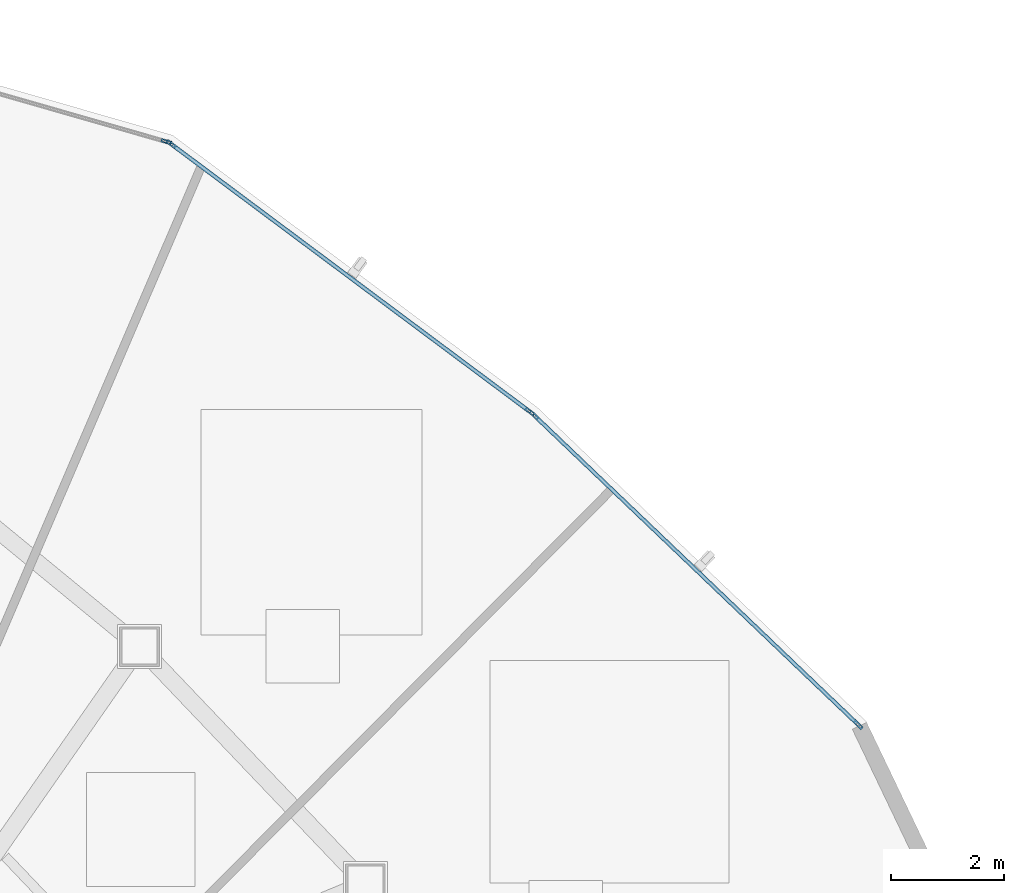
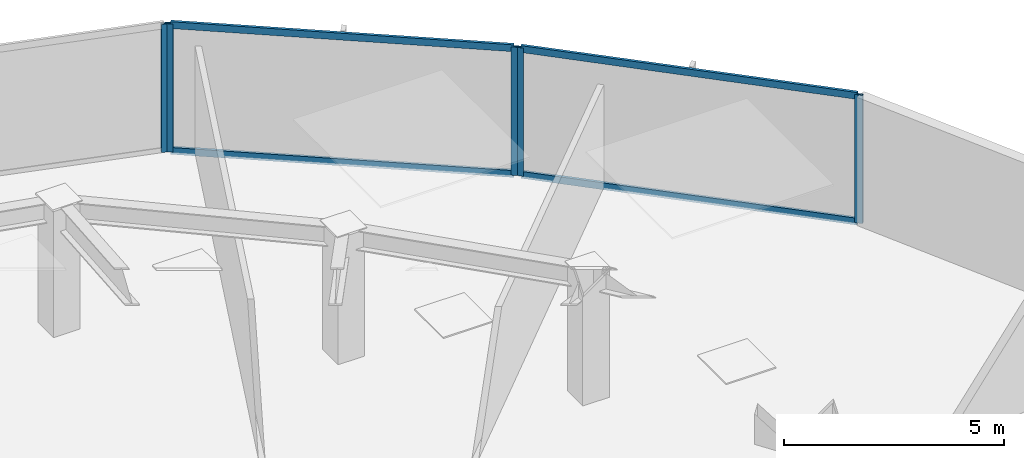
# One storey, part 9 of 17: 9 members, 3 elements without a shape of their own.
"""IFC4 building model written with IfcOpenShell, lengths in metres."""

from ifc_helpers import new_model, si_unit, direction, frame, origin, origin_2d, place, context, subcontext, project, spatial, hollow_rectangle, extrude, source, transform, mapped, material, layer, layer_set, material_profile, profile_set, type_object, type_shapes, element, aggregate, save


model = new_model("IFC4")

# Units and contexts
model_context = context("Model", 3, precision=1e-05, world=origin(), true_north=direction((0.0, 1.0)))
body_context = subcontext(model_context, "Body", "Model", "MODEL_VIEW")
ifc_project = project(units=[si_unit("LENGTHUNIT", "METRE"), si_unit("AREAUNIT", "SQUARE_METRE"), si_unit("VOLUMEUNIT", "CUBIC_METRE"), si_unit("PLANEANGLEUNIT", "RADIAN"), si_unit("MASSUNIT", "GRAM", prefix="KILO")], contexts=[model_context])

# Site, building, storey
site_placement = place(None, origin())
site = spatial("IfcSite", under=ifc_project, at=site_placement, CompositionType="ELEMENT")
building_placement = place(site_placement, origin())
building = spatial("IfcBuilding", under=site, at=building_placement, Name="Tavelor Broadcast Tower", CompositionType="ELEMENT")
storey_placement = place(building_placement, frame((0.0, 0.0, 115.60009765625)))
storey = spatial("IfcBuildingStorey", under=building, at=storey_placement, Name="L26", CompositionType="ELEMENT", Elevation=115.60009765625)

# Curtain wall, members
ifc_material = material(Name="Architectural Anodized Aluminium", Category="aluminium")
ifc_layer = layer(ifc_material, 0.18994140625)
ifc_layer_set = layer_set([ifc_layer], Name="Architectural Anodized Aluminium")
curtain_wall_type = type_object("IfcCurtainWallType", Name="Tower Mid-Zone Acoustic Curtain Wall CW03", PredefinedType="NOTDEFINED", material=ifc_layer_set)
curtain_wall_1_placement = place(storey_placement, origin())
curtain_wall_1 = element("IfcCurtainWall", 1, at=curtain_wall_1_placement, inside=storey, type_object=curtain_wall_type, Name="L26 Curtain Wall CW03 Run 261", PredefinedType="NOTDEFINED")
ifc_material_profile_1 = material_profile(ifc_material, hollow_rectangle(XDim=0.068115234375, YDim=0.18994140625, WallThickness=0.02197265625, at=origin_2d()), Name="RHS 68x190x22")
ifc_profile_set_1 = profile_set([ifc_material_profile_1], Name="Architectural Anodized Aluminium")
member_type_1 = type_object("IfcMemberType", Name="CW03 Extruded Aluminium Mullion 68x190", PredefinedType="MULLION", material=ifc_profile_set_1)
shared_shape_1 = source(origin(), body_context, "Body", "SweptSolid", [
    extrude(hollow_rectangle(XDim=0.068115234375, YDim=0.18994140625, WallThickness=0.02197265625, at=origin_2d()), origin(), (0.0, 0.0, 1.0), 3.5498046875),
])
type_shapes(member_type_1, [shared_shape_1])
member_1_placement = place(storey_placement, frame((75.031005859375, 58.035400390625, 0.0), z_axis=(0.0, 0.0, 1.0), x_axis=(-0.690563566844, -0.723271705618, 0.0)))
member_1 = element("IfcMember", 2, at=member_1_placement, type_object=member_type_1, Name="CW03 mullion 1", PredefinedType="MULLION", context=body_context, shape_type="MappedRepresentation", body=[
    mapped(shared_shape_1, transform((0.0, 0.0, 0.0), scale=1.0)),
])
member_2_placement = place(storey_placement, frame((69.30224609375, 63.50537109375, 0.0), z_axis=(0.0, 0.0, 1.0), x_axis=(-0.690563566844, -0.723271705618, 0.0)))
member_2 = element("IfcMember", 3, at=member_2_placement, type_object=member_type_1, Name="CW03 mullion 2", PredefinedType="MULLION", context=body_context, shape_type="MappedRepresentation", body=[
    mapped(shared_shape_1, transform((0.0, 0.0, 0.0), scale=1.0)),
])

curtain_wall_2_placement = place(storey_placement, origin())
curtain_wall_2 = element("IfcCurtainWall", 4, at=curtain_wall_2_placement, inside=storey, type_object=curtain_wall_type, Name="L26 Curtain Wall CW03 Run 262", PredefinedType="NOTDEFINED")
member_3_placement = place(storey_placement, frame((69.2275390625, 63.568359375, 0.0), z_axis=(0.0, 0.0, 1.0), x_axis=(-0.597973439096, -0.801515917581, 0.0)))
member_3 = element("IfcMember", 5, at=member_3_placement, type_object=member_type_1, Name="CW03 mullion 1", PredefinedType="MULLION", context=body_context, shape_type="MappedRepresentation", body=[
    mapped(shared_shape_1, transform((0.0, 0.0, 0.0), scale=1.0)),
])
member_4_placement = place(storey_placement, frame((62.890869140625, 68.2958984375, 0.0), z_axis=(0.0, 0.0, 1.0), x_axis=(-0.597973439096, -0.801515917581, 0.0)))
member_4 = element("IfcMember", 6, at=member_4_placement, type_object=member_type_1, Name="CW03 mullion 2", PredefinedType="MULLION", context=body_context, shape_type="MappedRepresentation", body=[
    mapped(shared_shape_1, transform((0.0, 0.0, 0.0), scale=1.0)),
])

# Curtain wall, member
curtain_wall_3_placement = place(storey_placement, origin())
curtain_wall_3 = element("IfcCurtainWall", 7, at=curtain_wall_3_placement, inside=storey, type_object=curtain_wall_type, Name="L26 Curtain Wall CW03 Run 263", PredefinedType="NOTDEFINED")
member_5_placement = place(storey_placement, frame((62.804443359375, 68.338623046875, 0.0), z_axis=(0.0, 0.0, 1.0), x_axis=(-0.275462594939, -0.961311790622, 0.0)))
member_5 = element("IfcMember", 8, at=member_5_placement, type_object=member_type_1, Name="CW03 mullion 1", PredefinedType="MULLION", context=body_context, shape_type="MappedRepresentation", body=[
    mapped(shared_shape_1, transform((0.0, 0.0, 0.0), scale=1.0)),
])
aggregate(curtain_wall_3, [member_5])

# Member
ifc_material_profile_2 = material_profile(ifc_material, hollow_rectangle(XDim=0.068115234375, YDim=0.18994140625, WallThickness=0.02197265625, at=origin_2d()), Name="RHS 68x190x22")
ifc_profile_set_2 = profile_set([ifc_material_profile_2], Name="Architectural Anodized Aluminium")
member_type_2 = type_object("IfcMemberType", Name="CW03 Extruded Aluminium Transom 68x190", PredefinedType="USERDEFINED", material=ifc_profile_set_2)
shared_shape_2 = source(origin(), body_context, "Body", "SweptSolid", [
    extrude(hollow_rectangle(XDim=0.068115234375, YDim=0.18994140625, WallThickness=0.02197265625, at=origin_2d()), origin(), (0.0, 0.0, 1.0), 7.85302734375),
])
member_6_placement = place(storey_placement, frame((75.006591796875, 58.058837890625, 0.033935546875), z_axis=(-0.723255312196, 0.690580736323, 0.0), x_axis=(-0.690580736323, -0.723255312196, 0.0)))
member_6 = element("IfcMember", 9, at=member_6_placement, type_object=member_type_2, Name="CW03 transom 1.1", ObjectType="TRANSOM", PredefinedType="USERDEFINED", context=body_context, shape_type="MappedRepresentation", body=[
    mapped(shared_shape_2, transform((0.0, 0.0, 0.0), scale=1.0)),
])

member_7_placement = place(storey_placement, frame((75.006591796875, 58.058837890625, 3.515869140625), z_axis=(-0.723255312196, 0.690580736323, 0.0), x_axis=(-0.690580736323, -0.723255312196, 0.0)))
member_7 = element("IfcMember", 10, at=member_7_placement, type_object=member_type_2, Name="CW03 transom 1.2", ObjectType="TRANSOM", PredefinedType="USERDEFINED", context=body_context, shape_type="MappedRepresentation", body=[
    mapped(shared_shape_2, transform((0.0, 0.0, 0.0), scale=1.0)),
])

aggregate(curtain_wall_1, [member_1, member_2, member_6, member_7])

shared_shape_3 = source(origin(), body_context, "Body", "SweptSolid", [
    extrude(hollow_rectangle(XDim=0.068115234375, YDim=0.18994140625, WallThickness=0.02197265625, at=origin_2d()), origin(), (0.0, 0.0, 1.0), 7.837646484375),
])
type_shapes(member_type_2, [shared_shape_2, shared_shape_3])
member_8_placement = place(storey_placement, frame((69.2001953125, 63.5888671875, 0.033935546875), z_axis=(-0.80151132593, 0.597979593637, 0.0), x_axis=(-0.597979593637, -0.80151132593, 0.0)))
member_8 = element("IfcMember", 11, at=member_8_placement, type_object=member_type_2, Name="CW03 transom 1.1", ObjectType="TRANSOM", PredefinedType="USERDEFINED", context=body_context, shape_type="MappedRepresentation", body=[
    mapped(shared_shape_3, transform((0.0, 0.0, 0.0), scale=1.0)),
])

member_9_placement = place(storey_placement, frame((69.2001953125, 63.5888671875, 3.515869140625), z_axis=(-0.80151132593, 0.597979593637, 0.0), x_axis=(-0.597979593637, -0.80151132593, 0.0)))
member_9 = element("IfcMember", 12, at=member_9_placement, type_object=member_type_2, Name="CW03 transom 1.2", ObjectType="TRANSOM", PredefinedType="USERDEFINED", context=body_context, shape_type="MappedRepresentation", body=[
    mapped(shared_shape_3, transform((0.0, 0.0, 0.0), scale=1.0)),
])

aggregate(curtain_wall_2, [member_3, member_4, member_8, member_9])

save(model, "model.ifc")
